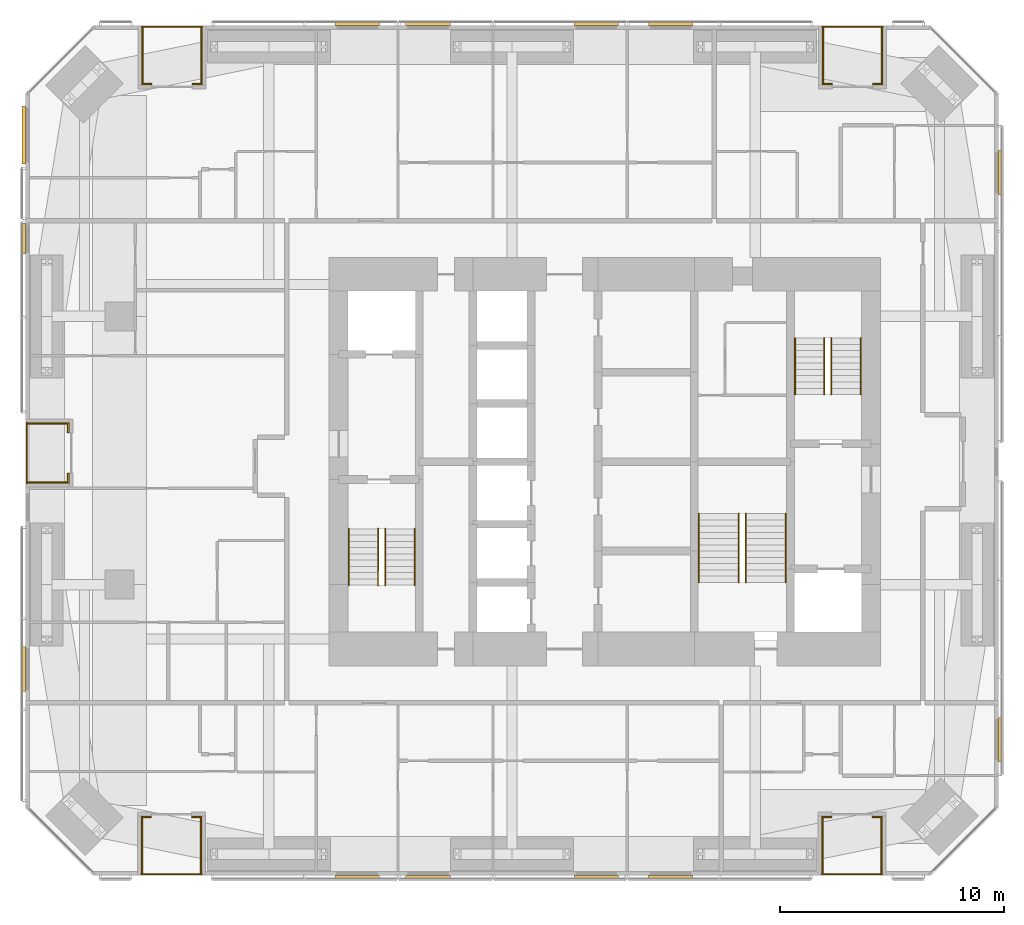
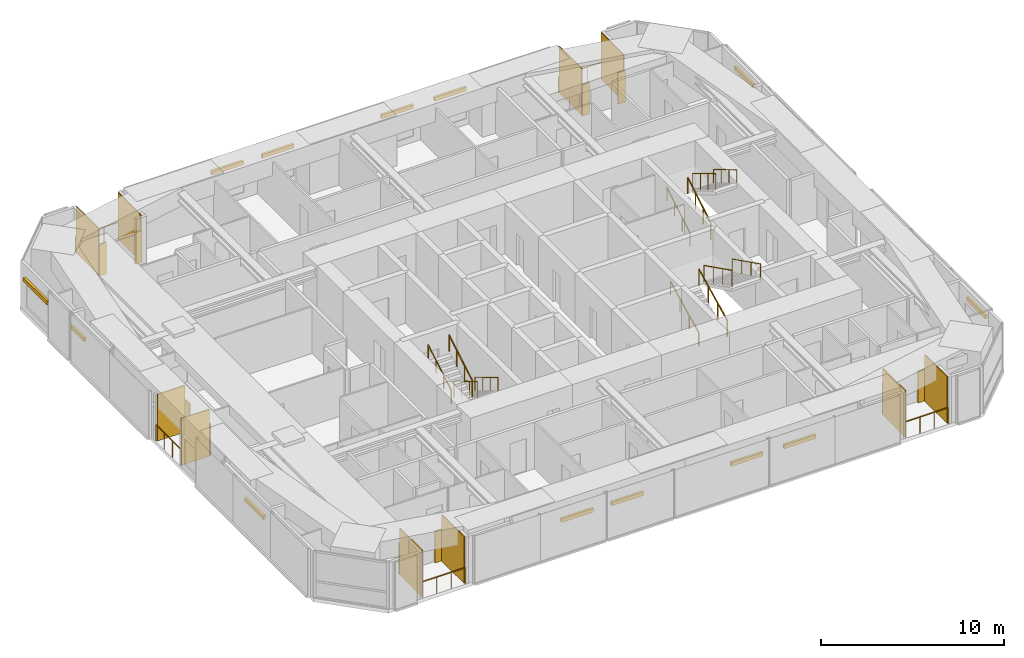
# One storey, part 23 of 23: 33 shading devices, 17 railings.
"""IFC4 building model written with IfcOpenShell, lengths in metres."""

from ifc_helpers import new_model, si_unit, direction, frame, origin, origin_2d, place, context, subcontext, project, spatial, rectangle, circle, extrude, material, layer, layer_set, constituent, constituent_set, type_object, element, save


model = new_model("IFC4")

# Units and contexts
model_context = context("Model", 3, precision=1e-05, world=origin(), true_north=direction((0.0, 1.0)))
body_context = subcontext(model_context, "Body", "Model", "MODEL_VIEW")
ifc_project = project(units=[si_unit("LENGTHUNIT", "METRE"), si_unit("AREAUNIT", "SQUARE_METRE"), si_unit("VOLUMEUNIT", "CUBIC_METRE"), si_unit("PLANEANGLEUNIT", "RADIAN"), si_unit("MASSUNIT", "GRAM", prefix="KILO")], contexts=[model_context])

# Site, building, storey
site_placement = place(None, origin())
site = spatial("IfcSite", under=ifc_project, at=site_placement, CompositionType="ELEMENT")
building_placement = place(site_placement, origin())
building = spatial("IfcBuilding", under=site, at=building_placement, Name="Jalousie Tower", CompositionType="ELEMENT")
storey_placement = place(building_placement, frame((0.0, 0.0, 114.89990234375)))
storey = spatial("IfcBuildingStorey", under=building, at=storey_placement, Name="L31", CompositionType="ELEMENT", Elevation=114.89990234375)

# Shading devices
ifc_material_1 = material(Name="Aluminium impact-rated louvred storm shutter", Category="aluminium")
shading_device_type_1 = type_object("IfcShadingDeviceType", Name="BI-FOLD STORM SHUTTER 900x2100", PredefinedType="SHUTTER", material=ifc_material_1)
for number, where, z_axis, x_axis, name in (
    (1, (11.4013671875, 2.610107421875, 0.0), (0.0, 0.0, 1.0), (1.0, 0.0, 0.0), "Loggia storm shutter L31"),
    (2, (13.6513671875, 2.610107421875, 0.0), (0.0, 0.0, 1.0), (1.0, 0.0, 0.0), "Loggia storm shutter L31"),
    (3, (41.824951171875, 2.610107421875, 0.0), (0.0, 0.0, 1.0), (1.0, 0.0, 0.0), "Loggia storm shutter L31"),
    (4, (44.074951171875, 2.610107421875, 0.0), (0.0, 0.0, 1.0), (1.0, 0.0, 0.0), "Loggia storm shutter L31"),
    (5, (44.0986328125, 35.389892578125, 0.0), (0.0, 0.0, 1.0), (-1.0, 0.0, 0.0), "Loggia storm shutter L31"),
    (6, (41.8486328125, 35.389892578125, 0.0), (0.0, 0.0, 1.0), (-1.0, 0.0, 0.0), "Loggia storm shutter L31"),
    (7, (13.675048828125, 35.389892578125, 0.0), (0.0, 0.0, 1.0), (-1.0, 0.0, 0.0), "Loggia storm shutter L31"),
    (8, (11.425048828125, 35.389892578125, 0.0), (0.0, 0.0, 1.0), (-1.0, 0.0, 0.0), "Loggia storm shutter L31"),
    (9, (7.909912109375, 20.012451171875, 0.0), (0.0, 0.0, 1.0), (0.0, -1.0, 0.0), "Loggia storm shutter L31"),
    (10, (7.909912109375, 17.762451171875, 0.0), (0.0, 0.0, 1.0), (0.0, -1.0, 0.0), "Loggia storm shutter L31"),
):
    element("IfcShadingDevice", number, at=place(storey_placement, frame(where, z_axis=z_axis, x_axis=x_axis)), inside=storey, type_object=shading_device_type_1, Name=name, PredefinedType="SHUTTER", context=body_context, shape_type="SweptSolid", body=[
        extrude(rectangle(XDim=0.449951171875, YDim=0.080078125, at=origin_2d()), origin(), (0.0, 0.0, 1.0), 2.10009765625),
    ])

# Railings
ifc_material_2 = material(Name="Powder-coated aluminium fretwork", Category="aluminium")
railing_type_1 = type_object("IfcRailingType", Name="FRETWORK BALUSTRADE 1100", PredefinedType="BALUSTRADE", material=ifc_material_2)
for number, where, name in (
    (11, (11.17626953125, 0.050048828125, 0.0), "Loggia fretwork balustrade L31"),
    (12, (41.60009765625, 0.050048828125, 0.0), "Loggia fretwork balustrade L31"),
):
    element("IfcRailing", number, at=place(storey_placement, frame(where)), inside=storey, type_object=railing_type_1, Name=name, PredefinedType="BALUSTRADE", context=body_context, shape_type="SweptSolid", body=[
        extrude(rectangle(XDim=0.048095703125, YDim=0.048095703125, at=origin_2d()), frame((0.0, 0.0, 1.076171875), z_axis=(1.0, 0.0, 0.0), x_axis=(0.0, 1.0, 0.0)), (0.0, 0.0, 1.0), 2.699951171875),
        extrude(circle(Radius=0.02099609375, at=origin_2d()), origin(), (0.0, 0.0, 1.0), 1.052001953125),
        extrude(circle(Radius=0.02099609375, at=origin_2d()), frame((0.89990234375, 0.0, 0.0)), (0.0, 0.0, 1.0), 1.052001953125),
        extrude(circle(Radius=0.02099609375, at=origin_2d()), frame((1.800048828125, 0.0, 0.0)), (0.0, 0.0, 1.0), 1.052001953125),
        extrude(circle(Radius=0.02099609375, at=origin_2d()), frame((2.699951171875, 0.0, 0.0)), (0.0, 0.0, 1.0), 1.052001953125),
    ])
for number, where, name in (
    (13, (44.32373046875, 37.949951171875, 0.0), "Loggia fretwork balustrade L31"),
    (14, (13.89990234375, 37.949951171875, 0.0), "Loggia fretwork balustrade L31"),
):
    element("IfcRailing", number, at=place(storey_placement, frame(where)), inside=storey, type_object=railing_type_1, Name=name, PredefinedType="BALUSTRADE", context=body_context, shape_type="SweptSolid", body=[
        extrude(rectangle(XDim=0.048095703125, YDim=0.048095703125, at=origin_2d()), frame((0.0, 0.0, 1.076171875), z_axis=(-1.0, 0.0, 0.0), x_axis=(0.0, -1.0, 0.0)), (0.0, 0.0, 1.0), 2.699951171875),
        extrude(circle(Radius=0.02099609375, at=origin_2d()), origin(), (0.0, 0.0, 1.0), 1.052001953125),
        extrude(circle(Radius=0.02099609375, at=origin_2d()), frame((-0.89990234375, 0.0, 0.0)), (0.0, 0.0, 1.0), 1.052001953125),
        extrude(circle(Radius=0.02099609375, at=origin_2d()), frame((-1.800048828125, 0.0, 0.0)), (0.0, 0.0, 1.0), 1.052001953125),
        extrude(circle(Radius=0.02099609375, at=origin_2d()), frame((-2.699951171875, 0.0, 0.0)), (0.0, 0.0, 1.0), 1.052001953125),
    ])
railing_1_placement = place(storey_placement, frame((6.050048828125, 20.24169921875, 0.0)))
element("IfcRailing", 15, at=railing_1_placement, inside=storey, type_object=railing_type_1, Name="Loggia fretwork balustrade L31", PredefinedType="BALUSTRADE", context=body_context, shape_type="SweptSolid", body=[
    extrude(rectangle(XDim=0.048095703125, YDim=0.048095703125, at=origin_2d()), frame((0.0, 0.0, 1.076171875), z_axis=(0.0, -1.0, 0.0), x_axis=(1.0, 0.0, 0.0)), (0.0, 0.0, 1.0), 2.70849609375),
    extrude(circle(Radius=0.02099609375, at=origin_2d()), origin(), (0.0, 0.0, 1.0), 1.052001953125),
    extrude(circle(Radius=0.02099609375, at=origin_2d()), frame((0.0, -0.90283203125, 0.0)), (0.0, 0.0, 1.0), 1.052001953125),
    extrude(circle(Radius=0.02099609375, at=origin_2d()), frame((0.0, -1.8056640625, 0.0)), (0.0, 0.0, 1.0), 1.052001953125),
    extrude(circle(Radius=0.02099609375, at=origin_2d()), frame((0.0, -2.70849609375, 0.0)), (0.0, 0.0, 1.0), 1.052001953125),
])

# Shading devices
ifc_material_3 = material(Name="Powder-coated aluminium louvres", Category="aluminium")
ifc_layer = layer(ifc_material_3, 0.06005859375)
ifc_layer_set = layer_set([ifc_layer], Name="Powder-coated aluminium louvres")
shading_device_type_2 = type_object("IfcShadingDeviceType", Name="JALOUSIE LOUVRE SCREEN", PredefinedType="JALOUSIE", material=ifc_layer_set)
for number, where, z_axis, x_axis, name in (
    (16, (11.206298828125, 1.324951171875, 0.0), (0.0, 0.0, 1.0), (1.0, 0.0, 0.0), "Loggia jalousie louvre screen L31"),
    (17, (13.84619140625, 1.324951171875, 0.0), (0.0, 0.0, 1.0), (1.0, 0.0, 0.0), "Loggia jalousie louvre screen L31"),
    (18, (41.6298828125, 1.324951171875, 0.0), (0.0, 0.0, 1.0), (1.0, 0.0, 0.0), "Loggia jalousie louvre screen L31"),
    (19, (44.27001953125, 1.324951171875, 0.0), (0.0, 0.0, 1.0), (1.0, 0.0, 0.0), "Loggia jalousie louvre screen L31"),
    (20, (44.293701171875, 36.675048828125, 0.0), (0.0, 0.0, 1.0), (-1.0, 0.0, 0.0), "Loggia jalousie louvre screen L31"),
    (21, (41.65380859375, 36.675048828125, 0.0), (0.0, 0.0, 1.0), (-1.0, 0.0, 0.0), "Loggia jalousie louvre screen L31"),
    (22, (13.8701171875, 36.675048828125, 0.0), (0.0, 0.0, 1.0), (-1.0, 0.0, 0.0), "Loggia jalousie louvre screen L31"),
    (23, (11.22998046875, 36.675048828125, 0.0), (0.0, 0.0, 1.0), (-1.0, 0.0, 0.0), "Loggia jalousie louvre screen L31"),
):
    element("IfcShadingDevice", number, at=place(storey_placement, frame(where, z_axis=z_axis, x_axis=x_axis)), inside=storey, type_object=shading_device_type_2, Name=name, PredefinedType="JALOUSIE", context=body_context, shape_type="SweptSolid", body=[
        extrude(rectangle(XDim=0.06005859375, YDim=2.449951171875, at=origin_2d()), origin(), (0.0, 0.0, 1.0), 3.110107421875),
    ])
for number, where, z_axis, x_axis, name in (
    (24, (6.97509765625, 20.211669921875, 0.0), (0.0, 0.0, 1.0), (0.0, -1.0, 0.0), "Loggia jalousie louvre screen L31"),
    (25, (6.97509765625, 17.563232421875, 0.0), (0.0, 0.0, 1.0), (0.0, -1.0, 0.0), "Loggia jalousie louvre screen L31"),
):
    element("IfcShadingDevice", number, at=place(storey_placement, frame(where, z_axis=z_axis, x_axis=x_axis)), inside=storey, type_object=shading_device_type_2, Name=name, PredefinedType="JALOUSIE", context=body_context, shape_type="SweptSolid", body=[
        extrude(rectangle(XDim=0.06005859375, YDim=1.75, at=origin_2d()), origin(), (0.0, 0.0, 1.0), 3.110107421875),
    ])

# Railings
ifc_material_4 = material(Name="Steel ASTM A500 Grade C", Category="steel")
ifc_constituent_1 = constituent(ifc_material_4, Name="Body")
ifc_material_5 = material(Name="Hot-dip galvanised zinc coating")
ifc_constituent_2 = constituent(ifc_material_5, Name="Finish")
ifc_constituent_set_1 = constituent_set(constituents=[ifc_constituent_1, ifc_constituent_2])
railing_type_2 = type_object("IfcRailingType", Name="STAIR GUARD 1100", PredefinedType="GUARDRAIL", material=ifc_constituent_set_1)
railing_2_placement = place(storey_placement, frame((22.080078125, 15.49755859375, 0.16748046875)))
element("IfcRailing", 26, at=railing_2_placement, inside=storey, type_object=railing_type_2, Name="Exit stair A guard L31 flight 1", PredefinedType="GUARDRAIL", context=body_context, shape_type="SweptSolid", body=[
    extrude(rectangle(XDim=0.048095703125, YDim=0.048095703125, at=origin_2d()), frame((0.0, 0.0, 1.076171875), z_axis=(0.0, -0.858159760407, 0.513382728203), x_axis=(1.0, 0.0, 0.0)), (0.0, 0.0, 1.0), 2.9365234375),
    extrude(circle(Radius=0.02099609375, at=origin_2d()), origin(), (0.0, 0.0, 1.0), 1.052001953125),
    extrude(circle(Radius=0.02099609375, at=origin_2d()), frame((0.0, -0.840087890625, 0.50244140625)), (0.0, 0.0, 1.0), 1.052001953125),
    extrude(circle(Radius=0.02099609375, at=origin_2d()), frame((0.0, -1.679931640625, 1.005126953125)), (0.0, 0.0, 1.0), 1.052001953125),
    extrude(circle(Radius=0.02099609375, at=origin_2d()), frame((0.0, -2.52001953125, 1.507568359375)), (0.0, 0.0, 1.0), 1.052001953125),
])
for number, where, name in (
    (27, (21.77001953125, 12.9775390625, 1.842529296875), "Exit stair A guard L31 flight 2"),
    (28, (41.719970703125, 21.50244140625, 0.16748046875), "Exit stair B guard L31 flight 1"),
):
    element("IfcRailing", number, at=place(storey_placement, frame(where)), inside=storey, type_object=railing_type_2, Name=name, PredefinedType="GUARDRAIL", context=body_context, shape_type="SweptSolid", body=[
        extrude(rectangle(XDim=0.048095703125, YDim=0.048095703125, at=origin_2d()), frame((0.0, 0.0, 1.076171875), z_axis=(0.0, 0.858159760407, 0.513382728203), x_axis=(-1.0, 0.0, 0.0)), (0.0, 0.0, 1.0), 2.9365234375),
        extrude(circle(Radius=0.02099609375, at=origin_2d()), origin(), (0.0, 0.0, 1.0), 1.052001953125),
        extrude(circle(Radius=0.02099609375, at=origin_2d()), frame((0.0, 0.840087890625, 0.50244140625)), (0.0, 0.0, 1.0), 1.052001953125),
        extrude(circle(Radius=0.02099609375, at=origin_2d()), frame((0.0, 1.679931640625, 1.005126953125)), (0.0, 0.0, 1.0), 1.052001953125),
        extrude(circle(Radius=0.02099609375, at=origin_2d()), frame((0.0, 2.52001953125, 1.507568359375)), (0.0, 0.0, 1.0), 1.052001953125),
    ])
railing_3_placement = place(storey_placement, frame((42.030029296875, 24.0224609375, 1.842529296875)))
element("IfcRailing", 29, at=railing_3_placement, inside=storey, type_object=railing_type_2, Name="Exit stair B guard L31 flight 2", PredefinedType="GUARDRAIL", context=body_context, shape_type="SweptSolid", body=[
    extrude(rectangle(XDim=0.048095703125, YDim=0.048095703125, at=origin_2d()), frame((0.0, 0.0, 1.076171875), z_axis=(0.0, -0.858159760407, 0.513382728203), x_axis=(1.0, 0.0, 0.0)), (0.0, 0.0, 1.0), 2.9365234375),
    extrude(circle(Radius=0.02099609375, at=origin_2d()), origin(), (0.0, 0.0, 1.0), 1.052001953125),
    extrude(circle(Radius=0.02099609375, at=origin_2d()), frame((0.0, -0.840087890625, 0.50244140625)), (0.0, 0.0, 1.0), 1.052001953125),
    extrude(circle(Radius=0.02099609375, at=origin_2d()), frame((0.0, -1.679931640625, 1.005126953125)), (0.0, 0.0, 1.0), 1.052001953125),
    extrude(circle(Radius=0.02099609375, at=origin_2d()), frame((0.0, -2.52001953125, 1.507568359375)), (0.0, 0.0, 1.0), 1.052001953125),
])
railing_4_placement = place(storey_placement, frame((37.89501953125, 13.097412109375, 0.1396484375)))
element("IfcRailing", 30, at=railing_4_placement, inside=storey, type_object=railing_type_2, Name="Exit stair C guard L31 flight 1", PredefinedType="GUARDRAIL", context=body_context, shape_type="SweptSolid", body=[
    extrude(rectangle(XDim=0.048095703125, YDim=0.048095703125, at=origin_2d()), frame((0.0, 0.0, 1.076171875), z_axis=(0.0, 0.894965676997, 0.446134998624), x_axis=(-1.0, 0.0, 0.0)), (0.0, 0.0, 1.0), 3.441650390625),
    extrude(circle(Radius=0.02099609375, at=origin_2d()), origin(), (0.0, 0.0, 1.0), 1.052001953125),
    extrude(circle(Radius=0.02099609375, at=origin_2d()), frame((0.0, 1.026611328125, 0.51171875)), (0.0, 0.0, 1.0), 1.052001953125),
    extrude(circle(Radius=0.02099609375, at=origin_2d()), frame((0.0, 2.053466796875, 1.023681640625)), (0.0, 0.0, 1.0), 1.052001953125),
    extrude(circle(Radius=0.02099609375, at=origin_2d()), frame((0.0, 3.080078125, 1.535400390625)), (0.0, 0.0, 1.0), 1.052001953125),
])
railing_5_placement = place(storey_placement, frame((38.205078125, 16.177490234375, 1.814697265625)))
element("IfcRailing", 31, at=railing_5_placement, inside=storey, type_object=railing_type_2, Name="Exit stair C guard L31 flight 2", PredefinedType="GUARDRAIL", context=body_context, shape_type="SweptSolid", body=[
    extrude(rectangle(XDim=0.048095703125, YDim=0.048095703125, at=origin_2d()), frame((0.0, 0.0, 1.076171875), z_axis=(0.0, -0.894965676997, 0.446134998624), x_axis=(1.0, 0.0, 0.0)), (0.0, 0.0, 1.0), 3.441650390625),
    extrude(circle(Radius=0.02099609375, at=origin_2d()), origin(), (0.0, 0.0, 1.0), 1.052001953125),
    extrude(circle(Radius=0.02099609375, at=origin_2d()), frame((0.0, -1.026611328125, 0.51171875)), (0.0, 0.0, 1.0), 1.052001953125),
    extrude(circle(Radius=0.02099609375, at=origin_2d()), frame((0.0, -2.053466796875, 1.023681640625)), (0.0, 0.0, 1.0), 1.052001953125),
    extrude(circle(Radius=0.02099609375, at=origin_2d()), frame((0.0, -3.080078125, 1.535400390625)), (0.0, 0.0, 1.0), 1.052001953125),
])
ifc_material_6 = material(Name="Steel ASTM A500 Grade C", Category="steel")
ifc_constituent_3 = constituent(ifc_material_6, Name="Body")
ifc_material_7 = material(Name="Hot-dip galvanised zinc coating")
ifc_constituent_4 = constituent(ifc_material_7, Name="Finish")
ifc_constituent_set_2 = constituent_set(constituents=[ifc_constituent_3, ifc_constituent_4])
railing_type_3 = type_object("IfcRailingType", Name="STAIR HANDRAIL 900", PredefinedType="HANDRAIL", material=ifc_constituent_set_2)
railing_6_placement = place(storey_placement, frame((23.39501953125, 15.49755859375, 0.16748046875)))
element("IfcRailing", 32, at=railing_6_placement, inside=storey, type_object=railing_type_3, Name="Exit stair A handrail L31 flight 1", PredefinedType="HANDRAIL", context=body_context, shape_type="SweptSolid", body=[
    extrude(circle(Radius=0.02392578125, at=origin_2d()), frame((0.0, 0.0, 0.8759765625), z_axis=(0.0, -0.858159760407, 0.513382728203), x_axis=(1.0, 0.0, 0.0)), (0.0, 0.0, 1.0), 2.9365234375),
    extrude(circle(Radius=0.02099609375, at=origin_2d()), origin(), (0.0, 0.0, 1.0), 0.851806640625),
    extrude(circle(Radius=0.02099609375, at=origin_2d()), frame((0.0, -0.840087890625, 0.50244140625)), (0.0, 0.0, 1.0), 0.851806640625),
    extrude(circle(Radius=0.02099609375, at=origin_2d()), frame((0.0, -1.679931640625, 1.005126953125)), (0.0, 0.0, 1.0), 0.851806640625),
    extrude(circle(Radius=0.02099609375, at=origin_2d()), frame((0.0, -2.52001953125, 1.507568359375)), (0.0, 0.0, 1.0), 0.851806640625),
])
for number, where, name in (
    (33, (20.455078125, 12.9775390625, 1.842529296875), "Exit stair A handrail L31 flight 2"),
    (34, (40.405029296875, 21.50244140625, 0.16748046875), "Exit stair B handrail L31 flight 1"),
):
    element("IfcRailing", number, at=place(storey_placement, frame(where)), inside=storey, type_object=railing_type_3, Name=name, PredefinedType="HANDRAIL", context=body_context, shape_type="SweptSolid", body=[
        extrude(circle(Radius=0.02392578125, at=origin_2d()), frame((0.0, 0.0, 0.8759765625), z_axis=(0.0, 0.858159760407, 0.513382728203), x_axis=(-1.0, 0.0, 0.0)), (0.0, 0.0, 1.0), 2.9365234375),
        extrude(circle(Radius=0.02099609375, at=origin_2d()), origin(), (0.0, 0.0, 1.0), 0.851806640625),
        extrude(circle(Radius=0.02099609375, at=origin_2d()), frame((0.0, 0.840087890625, 0.50244140625)), (0.0, 0.0, 1.0), 0.851806640625),
        extrude(circle(Radius=0.02099609375, at=origin_2d()), frame((0.0, 1.679931640625, 1.005126953125)), (0.0, 0.0, 1.0), 0.851806640625),
        extrude(circle(Radius=0.02099609375, at=origin_2d()), frame((0.0, 2.52001953125, 1.507568359375)), (0.0, 0.0, 1.0), 0.851806640625),
    ])
railing_7_placement = place(storey_placement, frame((43.344970703125, 24.0224609375, 1.842529296875)))
element("IfcRailing", 35, at=railing_7_placement, inside=storey, type_object=railing_type_3, Name="Exit stair B handrail L31 flight 2", PredefinedType="HANDRAIL", context=body_context, shape_type="SweptSolid", body=[
    extrude(circle(Radius=0.02392578125, at=origin_2d()), frame((0.0, 0.0, 0.8759765625), z_axis=(0.0, -0.858159760407, 0.513382728203), x_axis=(1.0, 0.0, 0.0)), (0.0, 0.0, 1.0), 2.9365234375),
    extrude(circle(Radius=0.02099609375, at=origin_2d()), origin(), (0.0, 0.0, 1.0), 0.851806640625),
    extrude(circle(Radius=0.02099609375, at=origin_2d()), frame((0.0, -0.840087890625, 0.50244140625)), (0.0, 0.0, 1.0), 0.851806640625),
    extrude(circle(Radius=0.02099609375, at=origin_2d()), frame((0.0, -1.679931640625, 1.005126953125)), (0.0, 0.0, 1.0), 0.851806640625),
    extrude(circle(Radius=0.02099609375, at=origin_2d()), frame((0.0, -2.52001953125, 1.507568359375)), (0.0, 0.0, 1.0), 0.851806640625),
])
railing_8_placement = place(storey_placement, frame((36.10498046875, 13.097412109375, 0.1396484375)))
element("IfcRailing", 36, at=railing_8_placement, inside=storey, type_object=railing_type_3, Name="Exit stair C handrail L31 flight 1", PredefinedType="HANDRAIL", context=body_context, shape_type="SweptSolid", body=[
    extrude(circle(Radius=0.02392578125, at=origin_2d()), frame((0.0, 0.0, 0.8759765625), z_axis=(0.0, 0.894965676997, 0.446134998624), x_axis=(-1.0, 0.0, 0.0)), (0.0, 0.0, 1.0), 3.441650390625),
    extrude(circle(Radius=0.02099609375, at=origin_2d()), origin(), (0.0, 0.0, 1.0), 0.851806640625),
    extrude(circle(Radius=0.02099609375, at=origin_2d()), frame((0.0, 1.026611328125, 0.51171875)), (0.0, 0.0, 1.0), 0.851806640625),
    extrude(circle(Radius=0.02099609375, at=origin_2d()), frame((0.0, 2.053466796875, 1.023681640625)), (0.0, 0.0, 1.0), 0.851806640625),
    extrude(circle(Radius=0.02099609375, at=origin_2d()), frame((0.0, 3.080078125, 1.535400390625)), (0.0, 0.0, 1.0), 0.851806640625),
])
railing_9_placement = place(storey_placement, frame((39.9951171875, 16.177490234375, 1.814697265625)))
element("IfcRailing", 37, at=railing_9_placement, inside=storey, type_object=railing_type_3, Name="Exit stair C handrail L31 flight 2", PredefinedType="HANDRAIL", context=body_context, shape_type="SweptSolid", body=[
    extrude(circle(Radius=0.02392578125, at=origin_2d()), frame((0.0, 0.0, 0.8759765625), z_axis=(0.0, -0.894965676997, 0.446134998624), x_axis=(1.0, 0.0, 0.0)), (0.0, 0.0, 1.0), 3.441650390625),
    extrude(circle(Radius=0.02099609375, at=origin_2d()), origin(), (0.0, 0.0, 1.0), 0.851806640625),
    extrude(circle(Radius=0.02099609375, at=origin_2d()), frame((0.0, -1.026611328125, 0.51171875)), (0.0, 0.0, 1.0), 0.851806640625),
    extrude(circle(Radius=0.02099609375, at=origin_2d()), frame((0.0, -2.053466796875, 1.023681640625)), (0.0, 0.0, 1.0), 0.851806640625),
    extrude(circle(Radius=0.02099609375, at=origin_2d()), frame((0.0, -3.080078125, 1.535400390625)), (0.0, 0.0, 1.0), 0.851806640625),
])

# Shading devices
ifc_material_8 = material(Name="Aluminium roller storm shutter", Category="aluminium")
shading_device_type_3 = type_object("IfcShadingDeviceType", Name="STORM SHUTTER HOUSING", PredefinedType="SHUTTER", material=ifc_material_8)
for number, where, z_axis, x_axis, name in (
    (38, (20.824951171875, -0.074951171875, 2.10009765625), (0.0, 0.0, 1.0), (1.0, 0.0, 0.0), "Storm shutter L31"),
    (39, (23.9912109375, -0.074951171875, 2.10009765625), (0.0, 0.0, 1.0), (1.0, 0.0, 0.0), "Storm shutter L31"),
    (40, (31.514892578125, -0.074951171875, 2.10009765625), (0.0, 0.0, 1.0), (1.0, 0.0, 0.0), "Storm shutter L31"),
    (41, (34.840087890625, -0.074951171875, 2.10009765625), (0.0, 0.0, 1.0), (1.0, 0.0, 0.0), "Storm shutter L31"),
    (42, (49.574951171875, 6.0693359375, 2.10009765625), (0.0, 0.0, 1.0), (0.0, 1.0, 0.0), "Storm shutter L31"),
    (43, (49.574951171875, 31.4306640625, 2.10009765625), (0.0, 0.0, 1.0), (0.0, 1.0, 0.0), "Storm shutter L31"),
    (44, (34.85009765625, 38.074951171875, 2.10009765625), (0.0, 0.0, 1.0), (-1.0, 0.0, 0.0), "Storm shutter L31"),
    (45, (31.514892578125, 38.074951171875, 2.10009765625), (0.0, 0.0, 1.0), (-1.0, 0.0, 0.0), "Storm shutter L31"),
    (46, (23.9912109375, 38.074951171875, 2.10009765625), (0.0, 0.0, 1.0), (-1.0, 0.0, 0.0), "Storm shutter L31"),
    (47, (20.824951171875, 38.074951171875, 2.10009765625), (0.0, 0.0, 1.0), (-1.0, 0.0, 0.0), "Storm shutter L31"),
):
    element("IfcShadingDevice", number, at=place(storey_placement, frame(where, z_axis=z_axis, x_axis=x_axis)), inside=storey, type_object=shading_device_type_3, Name=name, PredefinedType="SHUTTER", context=body_context, shape_type="SweptSolid", body=[
        extrude(rectangle(XDim=2.0, YDim=0.14990234375, at=origin_2d()), origin(), (0.0, 0.0, 1.0), 0.25),
    ])
shading_device_1_placement = place(storey_placement, frame((5.925048828125, 33.1123046875, 2.10009765625), z_axis=(0.0, 0.0, 1.0), x_axis=(0.0, -1.0, 0.0)))
element("IfcShadingDevice", 48, at=shading_device_1_placement, inside=storey, type_object=shading_device_type_3, Name="Storm shutter L31", PredefinedType="SHUTTER", context=body_context, shape_type="SweptSolid", body=[
    extrude(rectangle(XDim=2.60009765625, YDim=0.14990234375, at=origin_2d()), origin(), (0.0, 0.0, 1.0), 0.25),
])
shading_device_2_placement = place(storey_placement, frame((5.925048828125, 28.47509765625, 2.10009765625), z_axis=(0.0, 0.0, 1.0), x_axis=(0.0, -1.0, 0.0)))
element("IfcShadingDevice", 49, at=shading_device_2_placement, inside=storey, type_object=shading_device_type_3, Name="Storm shutter L31", PredefinedType="SHUTTER", context=body_context, shape_type="SweptSolid", body=[
    extrude(rectangle(XDim=1.39990234375, YDim=0.14990234375, at=origin_2d()), origin(), (0.0, 0.0, 1.0), 0.25),
])
shading_device_3_placement = place(storey_placement, frame((5.925048828125, 9.22509765625, 2.10009765625), z_axis=(0.0, 0.0, 1.0), x_axis=(0.0, -1.0, 0.0)))
element("IfcShadingDevice", 50, at=shading_device_3_placement, inside=storey, type_object=shading_device_type_3, Name="Storm shutter L31", PredefinedType="SHUTTER", context=body_context, shape_type="SweptSolid", body=[
    extrude(rectangle(XDim=2.0, YDim=0.14990234375, at=origin_2d()), origin(), (0.0, 0.0, 1.0), 0.25),
])

save(model, "model.ifc")
